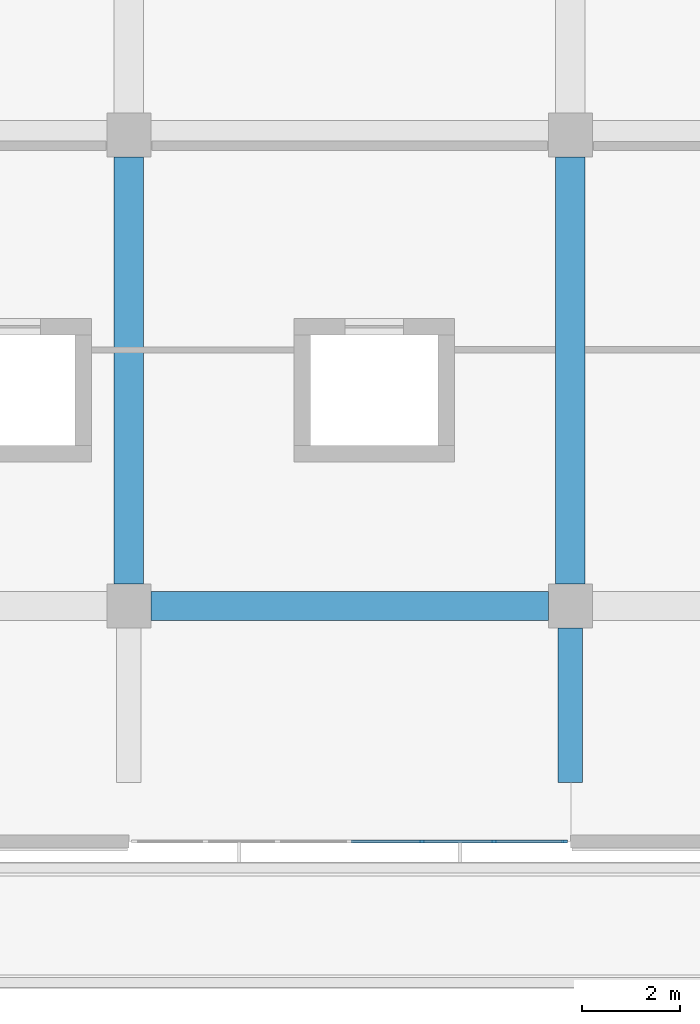
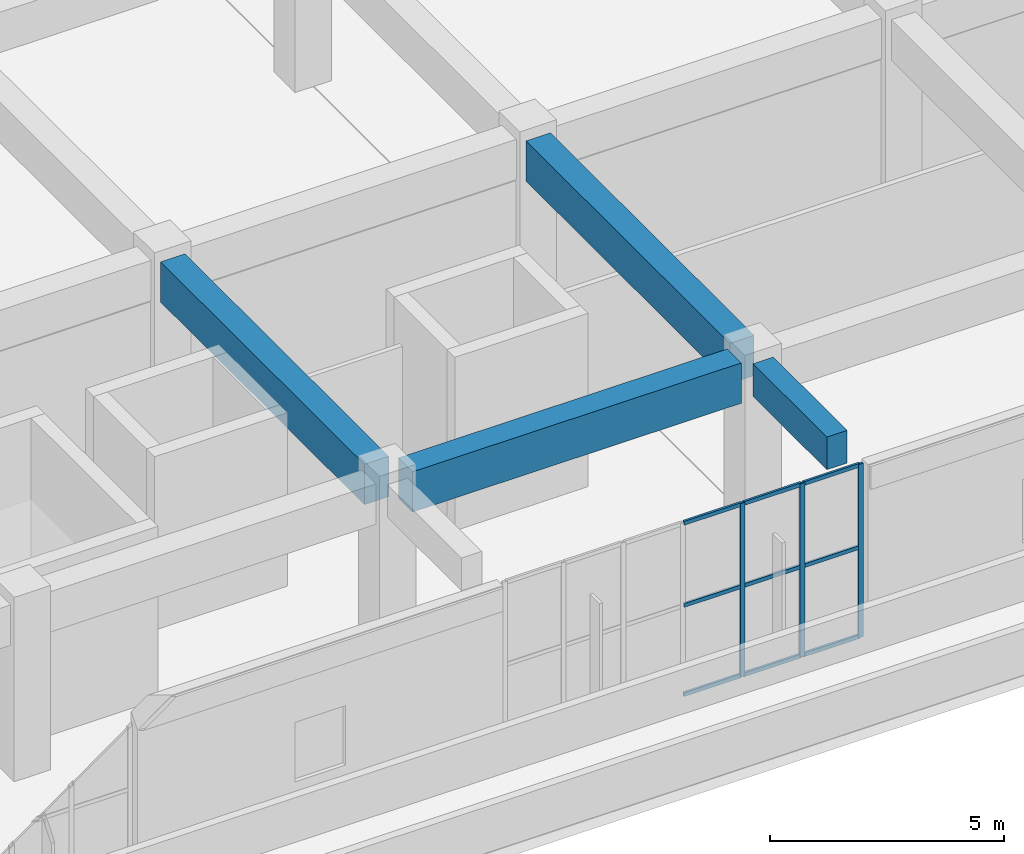
# One storey, part 18 of 96: 12 members, 4 beams, 1 element without a shape of its own.
"""IFC4 building model written with IfcOpenShell, lengths in metres."""

from ifc_helpers import new_model, si_unit, direction, frame, origin, origin_2d, place, context, subcontext, project, spatial, rectangle, extrude, material, layer, layer_set, material_profile, profile_set, type_object, element, aggregate, save


model = new_model("IFC4")

# Units and contexts
model_context = context("Model", 3, precision=1e-05, world=origin(), true_north=direction((0.0, 1.0)))
body_context = subcontext(model_context, "Body", "Model", "MODEL_VIEW")
ifc_project = project(units=[si_unit("LENGTHUNIT", "METRE"), si_unit("AREAUNIT", "SQUARE_METRE"), si_unit("VOLUMEUNIT", "CUBIC_METRE"), si_unit("PLANEANGLEUNIT", "RADIAN"), si_unit("MASSUNIT", "GRAM", prefix="KILO")], contexts=[model_context])

# Site, building, storey
site_placement = place(None, origin())
site = spatial("IfcSite", under=ifc_project, at=site_placement, CompositionType="ELEMENT")
building_placement = place(site_placement, origin())
building = spatial("IfcBuilding", under=site, at=building_placement, Name="Cendralis Terraced Arcade", CompositionType="ELEMENT")
storey_placement = place(building_placement, frame((0.0, 0.0, 10.199951171875)))
storey = spatial("IfcBuildingStorey", under=building, at=storey_placement, Name="L02", CompositionType="ELEMENT", Elevation=10.199951171875)

# Beams
ifc_material_1 = material(Name="Concrete f'c 35 MPa", Category="concrete")
ifc_material_profile_1 = material_profile(ifc_material_1, rectangle(XDim=0.60009765625, YDim=1.050048828125, at=origin_2d()), Name="RC-BM-600x1050", Category="LoadBearing")
ifc_profile_set_1 = profile_set([ifc_material_profile_1], Name="Concrete f'c 35 MPa")
beam_type_1 = type_object("IfcBeamType", Name="BM-600x1050", PredefinedType="JOIST", material=ifc_profile_set_1)
beam_1_placement = place(storey_placement, frame((85.64990234375, 9.60009765625, 3.989990234375), z_axis=(1.0, 0.0, 0.0), x_axis=(0.0, 1.0, 0.0)))
element("IfcBeam", 1, at=beam_1_placement, inside=storey, type_object=beam_type_1, Name="Reinforced Concrete Frame Beam BM-X-L03-B-10_11", PredefinedType="JOIST", context=body_context, shape_type="SweptSolid", body=[
    extrude(rectangle(XDim=0.60009765625, YDim=1.050048828125, at=origin_2d()), origin(), (0.0, 0.0, 1.0), 8.10009765625),
])
for number, where, z_axis, x_axis, name in (
    (2, (85.199951171875, 10.050048828125, 3.989990234375), (0.0, 1.0, 0.0), (-1.0, 0.0, 0.0), "Reinforced Concrete Frame Beam BM-Y-L03-10-B_C"),
    (3, (94.199951171875, 10.050048828125, 3.989990234375), (0.0, 1.0, 0.0), (-1.0, 0.0, 0.0), "Reinforced Concrete Frame Beam BM-Y-L03-11-B_C"),
):
    element("IfcBeam", number, at=place(storey_placement, frame(where, z_axis=z_axis, x_axis=x_axis)), inside=storey, type_object=beam_type_1, Name=name, PredefinedType="JOIST", context=body_context, shape_type="SweptSolid", body=[
        extrude(rectangle(XDim=0.60009765625, YDim=1.050048828125, at=origin_2d()), origin(), (0.0, 0.0, 1.0), 8.699951171875),
    ])
ifc_material_profile_2 = material_profile(ifc_material_1, rectangle(XDim=0.5, YDim=0.85009765625, at=origin_2d()), Name="RC-BM-500x850", Category="LoadBearing")
ifc_profile_set_2 = profile_set([ifc_material_profile_2], Name="Concrete f'c 35 MPa")
beam_type_2 = type_object("IfcBeamType", Name="BM-TER-500x850", PredefinedType="BEAM", material=ifc_profile_set_2)
beam_2_placement = place(storey_placement, frame((94.199951171875, 9.14990234375, 4.090087890625), z_axis=(0.0, -1.0, 0.0), x_axis=(1.0, 0.0, 0.0)))
element("IfcBeam", 4, at=beam_2_placement, inside=storey, type_object=beam_type_2, Name="Terrace Bracket Girder TER-L03-V4-11", PredefinedType="BEAM", context=body_context, shape_type="SweptSolid", body=[
    extrude(rectangle(XDim=0.5, YDim=0.85009765625, at=origin_2d()), origin(), (0.0, 0.0, 1.0), 3.14990234375),
])

# Curtain wall, members
ifc_material_2 = material(Name="Anodised aluminium EN AW-6063 T6", Category="aluminium")
ifc_layer = layer(ifc_material_2, 0.1201171875, Name="CW-STORE-B")
ifc_layer_set = layer_set([ifc_layer], Name="Anodised aluminium EN AW-6063 T6")
curtain_wall_type = type_object("IfcCurtainWallType", Name="CW-STORE-B", PredefinedType="USERDEFINED", material=ifc_layer_set)
curtain_wall_placement = place(storey_placement, origin())
curtain_wall = element("IfcCurtainWall", 5, at=curtain_wall_placement, inside=storey, type_object=curtain_wall_type, Name="Exterior Storefront Glazing CW-L02-0190", ObjectType="STOREFRONT GLAZING", PredefinedType="USERDEFINED")
ifc_material_profile_3 = material_profile(ifc_material_2, rectangle(XDim=0.054931640625, YDim=0.1201171875, at=origin_2d()), Name="ALU-MUL-55x120")
ifc_profile_set_3 = profile_set([ifc_material_profile_3], Name="Anodised aluminium EN AW-6063 T6")
member_type_1 = type_object("IfcMemberType", Name="CW-STORE-B-MUL", PredefinedType="MULLION", material=ifc_profile_set_3)
member_1_placement = place(storey_placement, frame((94.08251953125, 4.800048828125, 0.0), z_axis=(0.0, 0.0, 1.0), x_axis=(0.0, -1.0, 0.0)))
member_1 = element("IfcMember", 6, at=member_1_placement, type_object=member_type_1, Name="CW-S2 mullion 1", PredefinedType="MULLION", context=body_context, shape_type="SweptSolid", body=[
    extrude(rectangle(XDim=0.054931640625, YDim=0.1201171875, at=origin_2d()), origin(), (0.0, 0.0, 1.0), 4.51513671875),
])
member_2_placement = place(storey_placement, frame((92.639892578125, 4.800048828125, 0.0), z_axis=(0.0, 0.0, 1.0), x_axis=(0.0, -1.0, 0.0)))
member_2 = element("IfcMember", 7, at=member_2_placement, type_object=member_type_1, Name="CW-S2 mullion 2", PredefinedType="MULLION", context=body_context, shape_type="SweptSolid", body=[
    extrude(rectangle(XDim=0.054931640625, YDim=0.1201171875, at=origin_2d()), origin(), (0.0, 0.0, 1.0), 4.51513671875),
])
member_3_placement = place(storey_placement, frame((91.169921875, 4.800048828125, 0.0), z_axis=(0.0, 0.0, 1.0), x_axis=(0.0, -1.0, 0.0)))
member_3 = element("IfcMember", 8, at=member_3_placement, type_object=member_type_1, Name="CW-S2 mullion 3", PredefinedType="MULLION", context=body_context, shape_type="SweptSolid", body=[
    extrude(rectangle(XDim=0.054931640625, YDim=0.1201171875, at=origin_2d()), origin(), (0.0, 0.0, 1.0), 4.51513671875),
])
ifc_material_profile_4 = material_profile(ifc_material_2, rectangle(XDim=0.054931640625, YDim=0.10009765625, at=origin_2d()), Name="ALU-TRN-55x100")
ifc_profile_set_4 = profile_set([ifc_material_profile_4], Name="Anodised aluminium EN AW-6063 T6")
member_type_2 = type_object("IfcMemberType", Name="CW-STORE-B-TRN", PredefinedType="USERDEFINED", material=ifc_profile_set_4)
member_4_placement = place(storey_placement, frame((94.054931640625, 4.800048828125, 0.027587890625), z_axis=(-1.0, 0.0, 0.0), x_axis=(0.0, -1.0, 0.0)))
member_4 = element("IfcMember", 9, at=member_4_placement, type_object=member_type_2, Name="CW-S2 transom 1.1", ObjectType="TRANSOM", PredefinedType="USERDEFINED", context=body_context, shape_type="SweptSolid", body=[
    extrude(rectangle(XDim=0.054931640625, YDim=0.10009765625, at=origin_2d()), origin(), (0.0, 0.0, 1.0), 1.387451171875),
])
member_5_placement = place(storey_placement, frame((94.054931640625, 4.800048828125, 2.347900390625), z_axis=(-1.0, 0.0, 0.0), x_axis=(0.0, -1.0, 0.0)))
member_5 = element("IfcMember", 10, at=member_5_placement, type_object=member_type_2, Name="CW-S2 transom 1.2", ObjectType="TRANSOM", PredefinedType="USERDEFINED", context=body_context, shape_type="SweptSolid", body=[
    extrude(rectangle(XDim=0.054931640625, YDim=0.10009765625, at=origin_2d()), origin(), (0.0, 0.0, 1.0), 1.387451171875),
])
member_6_placement = place(storey_placement, frame((94.054931640625, 4.800048828125, 4.487548828125), z_axis=(-1.0, 0.0, 0.0), x_axis=(0.0, -1.0, 0.0)))
member_6 = element("IfcMember", 11, at=member_6_placement, type_object=member_type_2, Name="CW-S2 transom 1.3", ObjectType="TRANSOM", PredefinedType="USERDEFINED", context=body_context, shape_type="SweptSolid", body=[
    extrude(rectangle(XDim=0.054931640625, YDim=0.10009765625, at=origin_2d()), origin(), (0.0, 0.0, 1.0), 1.387451171875),
])
member_7_placement = place(storey_placement, frame((92.612548828125, 4.800048828125, 0.027587890625), z_axis=(-1.0, 0.0, 0.0), x_axis=(0.0, -1.0, 0.0)))
member_7 = element("IfcMember", 12, at=member_7_placement, type_object=member_type_2, Name="CW-S2 transom 2.1", ObjectType="TRANSOM", PredefinedType="USERDEFINED", context=body_context, shape_type="SweptSolid", body=[
    extrude(rectangle(XDim=0.054931640625, YDim=0.10009765625, at=origin_2d()), origin(), (0.0, 0.0, 1.0), 1.4150390625),
])
member_8_placement = place(storey_placement, frame((92.612548828125, 4.800048828125, 2.347900390625), z_axis=(-1.0, 0.0, 0.0), x_axis=(0.0, -1.0, 0.0)))
member_8 = element("IfcMember", 13, at=member_8_placement, type_object=member_type_2, Name="CW-S2 transom 2.2", ObjectType="TRANSOM", PredefinedType="USERDEFINED", context=body_context, shape_type="SweptSolid", body=[
    extrude(rectangle(XDim=0.054931640625, YDim=0.10009765625, at=origin_2d()), origin(), (0.0, 0.0, 1.0), 1.4150390625),
])
member_9_placement = place(storey_placement, frame((92.612548828125, 4.800048828125, 4.487548828125), z_axis=(-1.0, 0.0, 0.0), x_axis=(0.0, -1.0, 0.0)))
member_9 = element("IfcMember", 14, at=member_9_placement, type_object=member_type_2, Name="CW-S2 transom 2.3", ObjectType="TRANSOM", PredefinedType="USERDEFINED", context=body_context, shape_type="SweptSolid", body=[
    extrude(rectangle(XDim=0.054931640625, YDim=0.10009765625, at=origin_2d()), origin(), (0.0, 0.0, 1.0), 1.4150390625),
])
member_10_placement = place(storey_placement, frame((91.142578125, 4.800048828125, 0.027587890625), z_axis=(-1.0, 0.0, 0.0), x_axis=(0.0, -1.0, 0.0)))
member_10 = element("IfcMember", 15, at=member_10_placement, type_object=member_type_2, Name="CW-S2 transom 3.1", ObjectType="TRANSOM", PredefinedType="USERDEFINED", context=body_context, shape_type="SweptSolid", body=[
    extrude(rectangle(XDim=0.054931640625, YDim=0.10009765625, at=origin_2d()), origin(), (0.0, 0.0, 1.0), 1.4150390625),
])
member_11_placement = place(storey_placement, frame((91.142578125, 4.800048828125, 2.347900390625), z_axis=(-1.0, 0.0, 0.0), x_axis=(0.0, -1.0, 0.0)))
member_11 = element("IfcMember", 16, at=member_11_placement, type_object=member_type_2, Name="CW-S2 transom 3.2", ObjectType="TRANSOM", PredefinedType="USERDEFINED", context=body_context, shape_type="SweptSolid", body=[
    extrude(rectangle(XDim=0.054931640625, YDim=0.10009765625, at=origin_2d()), origin(), (0.0, 0.0, 1.0), 1.4150390625),
])
member_12_placement = place(storey_placement, frame((91.142578125, 4.800048828125, 4.487548828125), z_axis=(-1.0, 0.0, 0.0), x_axis=(0.0, -1.0, 0.0)))
member_12 = element("IfcMember", 17, at=member_12_placement, type_object=member_type_2, Name="CW-S2 transom 3.3", ObjectType="TRANSOM", PredefinedType="USERDEFINED", context=body_context, shape_type="SweptSolid", body=[
    extrude(rectangle(XDim=0.054931640625, YDim=0.10009765625, at=origin_2d()), origin(), (0.0, 0.0, 1.0), 1.4150390625),
])
aggregate(curtain_wall, [member_1, member_2, member_3, member_4, member_5, member_6, member_7, member_8, member_9, member_10, member_11, member_12])

save(model, "model.ifc")
